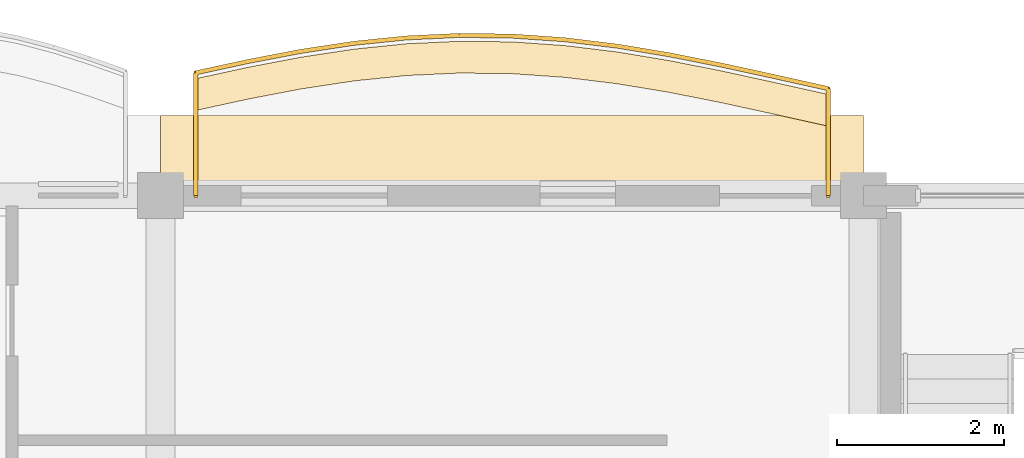
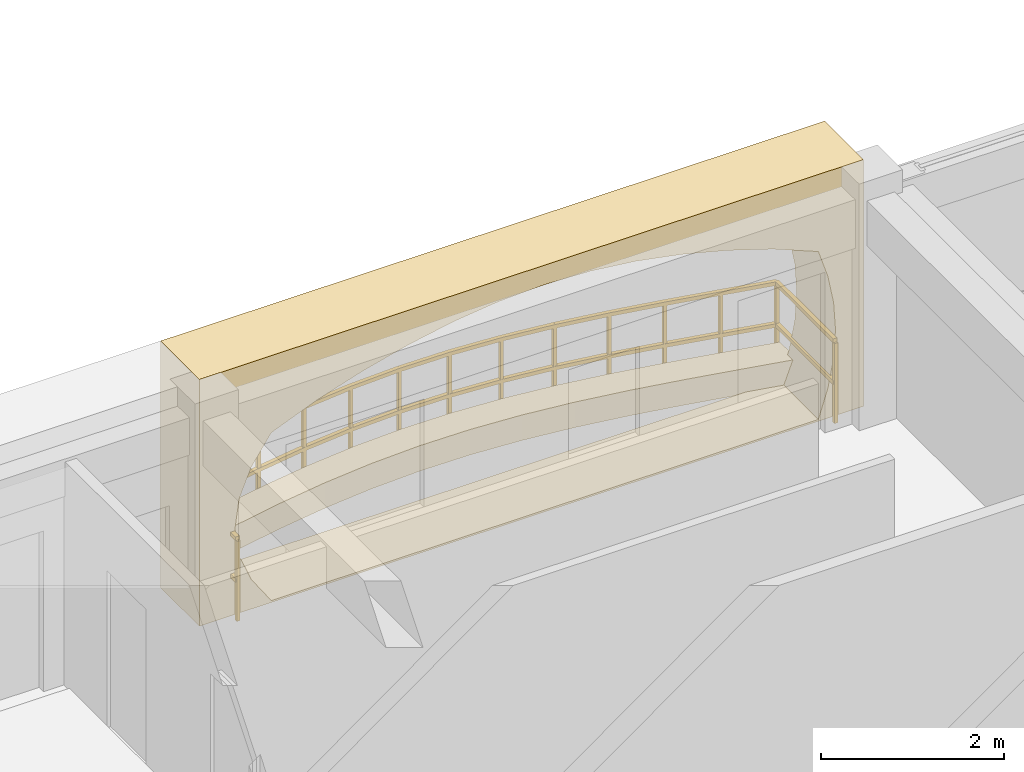
# One storey, part 31 of 31: 2 coverings, 1 railing.
"""IFC4 building model written with IfcOpenShell, lengths in metres."""

import ifcopenshell
import ifcopenshell.guid

model = None  # the IFC model being written
_history = None  # IfcOwnerHistory: only IFC2X3 demands one
_inside = {}  # id of a spatial element -> (the spatial element, [elements in it])
_under = {}  # id of a project, library or spatial element -> (it, [spatial elements below it])
_declared = {}  # id of a project -> (the project, [libraries it declares])
_typed = {}  # id of a type object -> (the type object, [elements of that type])
_made_of = {}  # id of a material, layer set ... -> (it, [elements and type objects made of it])


def new_model(schema):
    """Start an empty IFC model of exactly this schema.

    Asked for "IFC4X3", IfcOpenShell would pick the latest addendum, in which some entities
    have other attributes; the version numbers below select the first issue.
    IFC2X3 requires an IfcOwnerHistory on every rooted entity: one is made here for all.
    """
    global model, _history
    if schema == "IFC4X3":
        model = ifcopenshell.file(schema_version=(4, 3, 0, 0))
    else:
        model = ifcopenshell.file(schema=schema)
    _inside.clear()
    _under.clear()
    _declared.clear()
    _typed.clear()
    _made_of.clear()
    _history = None
    if model.schema == "IFC2X3":
        org = make("IfcOrganization", Name="unknown")
        user = make(
            "IfcPersonAndOrganization",
            ThePerson=make("IfcPerson", FamilyName="unknown"),
            TheOrganization=org,
        )
        app = make(
            "IfcApplication",
            ApplicationDeveloper=org,
            Version="unknown",
            ApplicationFullName="unknown",
            ApplicationIdentifier="unknown",
        )
        _history = make(
            "IfcOwnerHistory",
            OwningUser=user,
            OwningApplication=app,
            ChangeAction="ADDED",
            CreationDate=0,
        )
    return model


def make(cls, **values):
    """One entity of the class cls with the attributes given. An attribute that is None is left unset."""
    return model.create_entity(
        cls, **{name: value for name, value in values.items() if value is not None}
    )


def rooted(cls, **values):
    """An entity with a GlobalId (a new one), such as an element, a storey or a relation."""
    return make(cls, GlobalId=ifcopenshell.guid.new(), OwnerHistory=_history, **values)


def si_unit(unit_type, name, prefix=None):
    """IfcSIUnit, for example si_unit("LENGTHUNIT", "METRE", prefix="MILLI")."""
    return make("IfcSIUnit", UnitType=unit_type, Prefix=prefix, Name=name)


def assignment(units):
    """IfcUnitAssignment: the units of a project."""
    return None if units is None else make("IfcUnitAssignment", Units=units)


def point(xyz):
    """IfcCartesianPoint."""
    return None if xyz is None else make("IfcCartesianPoint", Coordinates=xyz)


def direction(xyz):
    """IfcDirection."""
    return None if xyz is None else make("IfcDirection", DirectionRatios=xyz)


def frame(location, z_axis=None, x_axis=None):
    """IfcAxis2Placement3D, a coordinate frame: its origin and axes. An axis left out is left unset."""
    return make(
        "IfcAxis2Placement3D",
        Location=point(location),
        Axis=direction(z_axis),
        RefDirection=direction(x_axis),
    )


def frame_2d(location, x_axis=None):
    """IfcAxis2Placement2D, a coordinate frame in the plane: its origin and x axis."""
    return make(
        "IfcAxis2Placement2D", Location=point(location), RefDirection=direction(x_axis)
    )


def origin():
    """The frame at (0, 0, 0) with its axes left unset."""
    return frame((0.0, 0.0, 0.0))


def origin_2d():
    """The frame at (0, 0) in the plane with its x axis left unset."""
    return frame_2d((0.0, 0.0))


def place(relative_to, where):
    """IfcLocalPlacement: puts the frame where relative to a parent placement (None: the world)."""
    return make(
        "IfcLocalPlacement", PlacementRelTo=relative_to, RelativePlacement=where
    )


def context(
    kind, dimensions, precision=None, world=None, true_north=None, identifier=None
):
    """IfcGeometricRepresentationContext, for example the 3D "Model" context."""
    return make(
        "IfcGeometricRepresentationContext",
        ContextIdentifier=identifier,
        ContextType=kind,
        CoordinateSpaceDimension=dimensions,
        Precision=precision,
        WorldCoordinateSystem=world,
        TrueNorth=true_north,
    )


def subcontext(parent, identifier, kind, view, scale=None):
    """IfcGeometricRepresentationSubContext, for example "Body" below "Model"."""
    return make(
        "IfcGeometricRepresentationSubContext",
        ContextIdentifier=identifier,
        ContextType=kind,
        ParentContext=parent,
        TargetScale=scale,
        TargetView=view,
    )


def project(units=None, contexts=None):
    """IfcProject with its units and contexts."""
    return rooted(
        "IfcProject",
        Name="project",
        RepresentationContexts=contexts,
        UnitsInContext=assignment(units),
    )


def spatial(cls, under=None, at=None, **own):
    """A site, building, storey or space (cls), placed at a placement, below another one or the project."""
    s = rooted(cls, ObjectPlacement=at, **own)
    if under is not None:
        _under.setdefault(under.id(), (under, []))[1].append(s)
    return s


def polyline(points):
    """IfcPolyline through the points."""
    return make("IfcPolyline", Points=[point(p) for p in points])


def profile(cls, at=None, kind="AREA", **sizes):
    """A parametric profile (cls). Its sizes go by their IFC names, for example OverallWidth=200.0."""
    return make(cls, ProfileType=kind, Position=at, **sizes)


def rectangle(**sizes):
    """IfcRectangleProfileDef."""
    return profile("IfcRectangleProfileDef", **sizes)


def outline(outer, holes=None, kind="AREA"):
    """IfcArbitraryClosedProfileDef: a profile drawn as a closed curve; with holes, ...WithVoids."""
    if holes is None:
        return make("IfcArbitraryClosedProfileDef", ProfileType=kind, OuterCurve=outer)
    return make(
        "IfcArbitraryProfileDefWithVoids",
        ProfileType=kind,
        OuterCurve=outer,
        InnerCurves=holes,
    )


def extrude(swept, where, along, depth):
    """IfcExtrudedAreaSolid: the profile swept, set in the frame where, extruded along a direction by depth."""
    return make(
        "IfcExtrudedAreaSolid",
        SweptArea=swept,
        Position=where,
        ExtrudedDirection=direction(along),
        Depth=depth,
    )


def shape(context_of_items, identifier, shape_type, items):
    """IfcShapeRepresentation: the items that make up one representation, for example the "Body"."""
    return make(
        "IfcShapeRepresentation",
        ContextOfItems=context_of_items,
        RepresentationIdentifier=identifier,
        RepresentationType=shape_type,
        Items=items,
    )


def material(Name=None, Category=None):
    """IfcMaterial."""
    return make("IfcMaterial", Name=Name, Category=Category)


def layer(
    of_material, thickness, ventilated=None, Name=None, Category=None, Priority=None
):
    """IfcMaterialLayer: one layer of a wall or slab, of a material (None: an air gap)."""
    return make(
        "IfcMaterialLayer",
        Material=of_material,
        LayerThickness=thickness,
        IsVentilated=ventilated,
        Name=Name,
        Category=Category,
        Priority=Priority,
    )


def layer_set(layers, Name=None):
    """IfcMaterialLayerSet."""
    return make("IfcMaterialLayerSet", MaterialLayers=layers, LayerSetName=Name)


def made_of(thing, what):
    """Note that an element or type object is made of a material, layer set ...; save() writes the relation."""
    if what is not None:
        _made_of.setdefault(what.id(), (what, []))[1].append(thing)
    return thing


def type_object(cls, material=None, **own):
    """A type object (cls), such as IfcWallType, which elements share."""
    return made_of(rooted(cls, **own), material)


def element(
    cls,
    number,
    at=None,
    inside=None,
    cuts=None,
    type_object=None,
    material=None,
    context=None,
    identifier="Body",
    shape_type=None,
    held_by="IfcProductDefinitionShape",
    body=None,
    shapes=None,
    **own,
):
    """One element of the class cls, such as IfcWall. Its Tag is "e" and its number.

    at: its placement. inside: the storey or other place that contains it. cuts: it is an
    opening in that element (IfcRelVoidsElement). A single representation is given by context,
    identifier, shape_type and body (its items); several are given by shapes. held_by: the class
    of the entity that holds the representations. save() writes the other relations.
    """
    e = rooted(cls, Tag="e%d" % number, ObjectPlacement=at, **own)
    if body is not None:
        shapes = [shape(context, identifier, shape_type, body)]
    if shapes is not None:
        e.Representation = make(held_by, Representations=shapes)
    if inside is not None:
        _inside.setdefault(inside.id(), (inside, []))[1].append(e)
    if cuts is not None:
        rooted(
            "IfcRelVoidsElement", RelatingBuildingElement=cuts, RelatedOpeningElement=e
        )
    if type_object is not None:
        _typed.setdefault(type_object.id(), (type_object, []))[1].append(e)
    return made_of(e, material)


def aggregate(whole, parts):
    """IfcRelAggregates: a whole, such as a stair, and the parts it consists of."""
    return rooted("IfcRelAggregates", RelatingObject=whole, RelatedObjects=parts)


def save(model, path):
    """Write the relations noted so far, then the file.

    IfcRelAggregates (storeys below a building ...), IfcRelContainedInSpatialStructure (elements
    in a storey), IfcRelDefinesByType, IfcRelAssociatesMaterial and IfcRelDeclares: one each for
    every whole, place, type object, material and project.
    """
    for whole, parts in _under.values():
        aggregate(whole, parts)
    for where, things in _inside.values():
        rooted(
            "IfcRelContainedInSpatialStructure",
            RelatedElements=things,
            RelatingStructure=where,
        )
    for kind, things in _typed.values():
        rooted("IfcRelDefinesByType", RelatedObjects=things, RelatingType=kind)
    for what, things in _made_of.values():
        rooted("IfcRelAssociatesMaterial", RelatedObjects=things, RelatingMaterial=what)
    for by, libraries in _declared.values():
        rooted("IfcRelDeclares", RelatingContext=by, RelatedDefinitions=libraries)
    model.write(path)


model = new_model("IFC4")

# Units and contexts
model_context = context("Model", 3, precision=1e-05, world=origin(), true_north=direction((0.0, 1.0)))
body_context = subcontext(model_context, "Body", "Model", "MODEL_VIEW")
ifc_project = project(units=[si_unit("LENGTHUNIT", "METRE"), si_unit("AREAUNIT", "SQUARE_METRE"), si_unit("VOLUMEUNIT", "CUBIC_METRE"), si_unit("PLANEANGLEUNIT", "RADIAN"), si_unit("MASSUNIT", "GRAM", prefix="KILO"), si_unit("THERMODYNAMICTEMPERATUREUNIT", "KELVIN")], contexts=[model_context])

# Site, building, storey
site_placement = place(None, origin())
site = spatial("IfcSite", under=ifc_project, at=site_placement, CompositionType="ELEMENT")
building_placement = place(site_placement, origin())
building = spatial("IfcBuilding", under=site, at=building_placement, Name="Thalorik Housing Commons", CompositionType="ELEMENT")
storey_placement = place(building_placement, frame((0.0, 0.0, 37.800048828125)))
storey = spatial("IfcBuildingStorey", under=building, at=storey_placement, Name="L11", CompositionType="ELEMENT", Elevation=37.800048828125)

# Coverings
ifc_material_1 = material(Name="Precast concrete C40/50", Category="concrete")
ifc_layer_1 = layer(ifc_material_1, 0.85009765625, Name="Precast concrete C40/50", Category="concrete")
ifc_layer_set_1 = layer_set([ifc_layer_1], Name="Precast concrete C40/50")
covering_type_1 = type_object("IfcCoveringType", Name="ARC-CLD-CUSH-850", PredefinedType="CLADDING", material=ifc_layer_set_1)
covering_1_placement = place(storey_placement, frame((148.199951171875, 124.132568359375, 0.0), z_axis=(0.0, 0.0, 1.0), x_axis=(-1.0, 0.0, 0.0)))
element("IfcCovering", 1, at=covering_1_placement, inside=storey, type_object=covering_type_1, Name="L11 White Precast Curved Cushion Bay Frame 3170", PredefinedType="CLADDING", context=body_context, shape_type="SweptSolid", body=[
    extrude(outline(polyline([(-4.199951171875, 0.0), (4.199951171875, 0.0), (4.199951171875, 3.300048828125), (-4.199951171875, 3.300048828125), (-4.199951171875, 0.0)]), holes=[polyline([(3.2900390625, 0.02490234375), (3.545654296875, 0.399169921875), (3.698974609375, 0.773193359375), (3.75, 1.1474609375), (3.698974609375, 1.521728515625), (3.545654296875, 1.895751953125), (3.2900390625, 2.27001953125), (2.71337890625, 2.50439453125), (2.13671875, 2.6884765625), (1.56005859375, 2.837646484375), (0.9833984375, 2.948486328125), (0.40673828125, 3.016845703125), (-0.169921875, 3.0400390625), (-0.74658203125, 3.016845703125), (-1.3232421875, 2.948486328125), (-1.89990234375, 2.837646484375), (-2.476806640625, 2.6884765625), (-3.05322265625, 2.50439453125), (-3.6298828125, 2.27001953125), (-3.750244140625, 1.895751953125), (-3.822509765625, 1.521728515625), (-3.8466796875, 1.1474609375), (-3.822509765625, 0.773193359375), (-3.750244140625, 0.399169921875), (-3.6298828125, 0.02490234375), (3.2900390625, 0.02490234375)])]), frame((0.0, 0.425048828125, 0.0), z_axis=(0.0, -1.0, 0.0), x_axis=(1.0, 0.0, 0.0)), (0.0, 0.0, 1.0), 0.85009765625),
])
ifc_material_2 = material(Name="Planted vegetated substrate and terracotta trough", Category="masonry")
ifc_layer_2 = layer(ifc_material_2, 0.340087890625, Name="Planted vegetated substrate and terracotta trough", Category="masonry")
ifc_layer_set_2 = layer_set([ifc_layer_2], Name="Planted vegetated substrate and terracotta trough")
covering_type_2 = type_object("IfcCoveringType", Name="ARC-COV-PLANTER", PredefinedType="USERDEFINED", material=ifc_layer_set_2)
covering_2_placement = place(storey_placement, origin())
element("IfcCovering", 2, at=covering_2_placement, inside=storey, type_object=covering_type_2, Name="L11 Balcony Slab-Edge Planted Trough 5554", ObjectType="PLANTER", PredefinedType="USERDEFINED", context=body_context, shape_type="SweptSolid", body=[
    extrude(outline(polyline([(151.97998046875, 124.810546875), (151.35009765625, 124.95068359375), (150.719970703125, 125.087890625), (150.090087890625, 125.213134765625), (149.4599609375, 125.31787109375), (148.830078125, 125.394775390625), (148.199951171875, 125.438720703125), (147.570068359375, 125.446044921875), (146.93994140625, 125.41650390625), (146.31005859375, 125.351806640625), (145.679931640625, 125.256103515625), (145.050048828125, 125.135986328125), (144.419921875, 124.998779296875), (144.419921875, 124.618896484375), (145.050048828125, 124.755859375), (145.679931640625, 124.876220703125), (146.31005859375, 124.971923828125), (146.93994140625, 125.03662109375), (147.570068359375, 125.066162109375), (148.199951171875, 125.05859375), (148.830078125, 125.014892578125), (149.4599609375, 124.93798828125), (150.090087890625, 124.833251953125), (150.719970703125, 124.7080078125), (151.35009765625, 124.57080078125), (151.97998046875, 124.4306640625), (151.97998046875, 124.810546875)])), origin(), (0.0, 0.0, 1.0), 0.33984375),
])

# Railing
ifc_material_3 = material(Name="Steel S355", Category="steel")
railing_type = type_object("IfcRailingType", Name="ARC-RL-BAL-112", PredefinedType="BALUSTRADE", material=ifc_material_3)
railing_placement = place(storey_placement, frame((151.97998046875, 123.60009765625, 0.0)))
element("IfcRailing", 3, at=railing_placement, inside=storey, type_object=railing_type, Name="L11 Cushion Balcony Guardrail 238", PredefinedType="BALUSTRADE", context=body_context, shape_type="SweptSolid", body=[
    extrude(rectangle(XDim=0.050048828125, YDim=0.050048828125, at=origin_2d()), frame((0.0, 0.0, 1.09521484375), z_axis=(0.0, 1.0, 0.0), x_axis=(-1.0, 0.0, 0.0)), (0.0, 0.0, 1.0), 1.280517578125),
    extrude(rectangle(XDim=0.050048828125, YDim=0.050048828125, at=origin_2d()), frame((0.0, 0.0, 0.53515625), z_axis=(0.0, 1.0, 0.0), x_axis=(-1.0, 0.0, 0.0)), (0.0, 0.0, 1.0), 1.280517578125),
    extrude(rectangle(XDim=0.050048828125, YDim=0.050048828125, at=origin_2d()), frame((0.0, 1.280517578125, 1.09521484375), z_axis=(-0.976133616988, 0.217170812462, 0.0), x_axis=(-0.217170812462, -0.976133616988, 0.0)), (0.0, 0.0, 1.0), 0.645263671875),
    extrude(rectangle(XDim=0.050048828125, YDim=0.050048828125, at=origin_2d()), frame((0.0, 1.280517578125, 0.53515625), z_axis=(-0.976133616988, 0.217170812462, 0.0), x_axis=(-0.217170812462, -0.976133616988, 0.0)), (0.0, 0.0, 1.0), 0.645263671875),
    extrude(rectangle(XDim=0.050048828125, YDim=0.050048828125, at=origin_2d()), frame((-0.6298828125, 1.420654296875, 1.09521484375), z_axis=(-0.97710455642, 0.212759690317, 0.0), x_axis=(-0.212759690317, -0.97710455642, 0.0)), (0.0, 0.0, 1.0), 0.644775390625),
    extrude(rectangle(XDim=0.050048828125, YDim=0.050048828125, at=origin_2d()), frame((-0.6298828125, 1.420654296875, 0.53515625), z_axis=(-0.97710455642, 0.212759690317, 0.0), x_axis=(-0.212759690317, -0.97710455642, 0.0)), (0.0, 0.0, 1.0), 0.644775390625),
    extrude(rectangle(XDim=0.050048828125, YDim=0.050048828125, at=origin_2d()), frame((-1.260009765625, 1.557861328125, 1.09521484375), z_axis=(-0.980799382594, 0.19501941212, 0.0), x_axis=(-0.19501941212, -0.980799382594, 0.0)), (0.0, 0.0, 1.0), 0.642333984375),
    extrude(rectangle(XDim=0.050048828125, YDim=0.050048828125, at=origin_2d()), frame((-1.260009765625, 1.557861328125, 0.53515625), z_axis=(-0.980799382594, 0.19501941212, 0.0), x_axis=(-0.19501941212, -0.980799382594, 0.0)), (0.0, 0.0, 1.0), 0.642333984375),
    extrude(rectangle(XDim=0.050048828125, YDim=0.050048828125, at=origin_2d()), frame((-1.889892578125, 1.68310546875, 1.09521484375), z_axis=(-0.98646613711, 0.163965119264, 0.0), x_axis=(-0.163965119264, -0.98646613711, 0.0)), (0.0, 0.0, 1.0), 0.638671875),
    extrude(rectangle(XDim=0.050048828125, YDim=0.050048828125, at=origin_2d()), frame((-1.889892578125, 1.68310546875, 0.53515625), z_axis=(-0.98646613711, 0.163965119264, 0.0), x_axis=(-0.163965119264, -0.98646613711, 0.0)), (0.0, 0.0, 1.0), 0.638671875),
    extrude(rectangle(XDim=0.050048828125, YDim=0.050048828125, at=origin_2d()), frame((-2.52001953125, 1.787841796875, 1.09521484375), z_axis=(-0.992628953739, 0.121193069933, 0.0), x_axis=(-0.121193069933, -0.992628953739, 0.0)), (0.0, 0.0, 1.0), 0.634521484375),
    extrude(rectangle(XDim=0.050048828125, YDim=0.050048828125, at=origin_2d()), frame((-2.52001953125, 1.787841796875, 0.53515625), z_axis=(-0.992628953739, 0.121193069933, 0.0), x_axis=(-0.121193069933, -0.992628953739, 0.0)), (0.0, 0.0, 1.0), 0.634521484375),
    extrude(rectangle(XDim=0.050048828125, YDim=0.050048828125, at=origin_2d()), frame((-3.14990234375, 1.86474609375, 1.09521484375), z_axis=(-0.997603724005, 0.069186775125, 0.0), x_axis=(-0.069186775125, -0.997603724005, 0.0)), (0.0, 0.0, 1.0), 0.631591796875),
    extrude(rectangle(XDim=0.050048828125, YDim=0.050048828125, at=origin_2d()), frame((-3.14990234375, 1.86474609375, 0.53515625), z_axis=(-0.997603724005, 0.069186775125, 0.0), x_axis=(-0.069186775125, -0.997603724005, 0.0)), (0.0, 0.0, 1.0), 0.631591796875),
    extrude(rectangle(XDim=0.050048828125, YDim=0.050048828125, at=origin_2d()), frame((-3.780029296875, 1.908447265625, 1.09521484375), z_axis=(-0.999927821649, 0.012014636617, 0.0), x_axis=(-0.012014636617, -0.999927821649, 0.0)), (0.0, 0.0, 1.0), 0.6298828125),
    extrude(rectangle(XDim=0.050048828125, YDim=0.050048828125, at=origin_2d()), frame((-3.780029296875, 1.908447265625, 0.53515625), z_axis=(-0.999927821649, 0.012014636617, 0.0), x_axis=(-0.012014636617, -0.999927821649, 0.0)), (0.0, 0.0, 1.0), 0.6298828125),
    extrude(rectangle(XDim=0.050048828125, YDim=0.050048828125, at=origin_2d()), frame((-4.409912109375, 1.916015625, 1.09521484375), z_axis=(-0.99890289151, -0.046829620253, 0.0), x_axis=(0.046829620253, -0.99890289151, 0.0)), (0.0, 0.0, 1.0), 0.630859375),
    extrude(rectangle(XDim=0.050048828125, YDim=0.050048828125, at=origin_2d()), frame((-4.409912109375, 1.916015625, 0.53515625), z_axis=(-0.99890289151, -0.046829620253, 0.0), x_axis=(0.046829620253, -0.99890289151, 0.0)), (0.0, 0.0, 1.0), 0.630859375),
    extrude(rectangle(XDim=0.050048828125, YDim=0.050048828125, at=origin_2d()), frame((-5.0400390625, 1.886474609375, 1.09521484375), z_axis=(-0.994766376321, -0.102175616173, 0.0), x_axis=(0.102175616173, -0.994766376321, 0.0)), (0.0, 0.0, 1.0), 0.63330078125),
    extrude(rectangle(XDim=0.050048828125, YDim=0.050048828125, at=origin_2d()), frame((-5.0400390625, 1.886474609375, 0.53515625), z_axis=(-0.994766376321, -0.102175616173, 0.0), x_axis=(0.102175616173, -0.994766376321, 0.0)), (0.0, 0.0, 1.0), 0.63330078125),
    extrude(rectangle(XDim=0.050048828125, YDim=0.050048828125, at=origin_2d()), frame((-5.669921875, 1.82177734375, 1.09521484375), z_axis=(-0.988662144203, -0.150157133099, 0.0), x_axis=(0.150157133099, -0.988662144203, 0.0)), (0.0, 0.0, 1.0), 0.637451171875),
    extrude(rectangle(XDim=0.050048828125, YDim=0.050048828125, at=origin_2d()), frame((-5.669921875, 1.82177734375, 0.53515625), z_axis=(-0.988662144203, -0.150157133099, 0.0), x_axis=(0.150157133099, -0.988662144203, 0.0)), (0.0, 0.0, 1.0), 0.637451171875),
    extrude(rectangle(XDim=0.050048828125, YDim=0.050048828125, at=origin_2d()), frame((-6.300048828125, 1.72607421875, 1.09521484375), z_axis=(-0.982228432783, -0.187689386574, 0.0), x_axis=(0.187689386574, -0.982228432783, 0.0)), (0.0, 0.0, 1.0), 0.641357421875),
    extrude(rectangle(XDim=0.050048828125, YDim=0.050048828125, at=origin_2d()), frame((-6.300048828125, 1.72607421875, 0.53515625), z_axis=(-0.982228432783, -0.187689386574, 0.0), x_axis=(0.187689386574, -0.982228432783, 0.0)), (0.0, 0.0, 1.0), 0.641357421875),
    extrude(rectangle(XDim=0.050048828125, YDim=0.050048828125, at=origin_2d()), frame((-6.929931640625, 1.605712890625, 1.09521484375), z_axis=(-0.977183197468, -0.212398207586, 0.0), x_axis=(0.212398207586, -0.977183197468, 0.0)), (0.0, 0.0, 1.0), 0.644775390625),
    extrude(rectangle(XDim=0.050048828125, YDim=0.050048828125, at=origin_2d()), frame((-6.929931640625, 1.605712890625, 0.53515625), z_axis=(-0.977183197468, -0.212398207586, 0.0), x_axis=(0.212398207586, -0.977183197468, 0.0)), (0.0, 0.0, 1.0), 0.644775390625),
    extrude(rectangle(XDim=0.050048828125, YDim=0.050048828125, at=origin_2d()), frame((-7.56005859375, 1.46875, 1.09521484375), z_axis=(0.0, -1.0, 0.0), x_axis=(1.0, 0.0, 0.0)), (0.0, 0.0, 1.0), 1.46875),
    extrude(rectangle(XDim=0.050048828125, YDim=0.050048828125, at=origin_2d()), frame((-7.56005859375, 1.46875, 0.53515625), z_axis=(0.0, -1.0, 0.0), x_axis=(1.0, 0.0, 0.0)), (0.0, 0.0, 1.0), 1.46875),
    extrude(rectangle(XDim=0.0419921875, YDim=0.0419921875, at=origin_2d()), origin(), (0.0, 0.0, 1.0), 1.070068359375),
    extrude(rectangle(XDim=0.0419921875, YDim=0.0419921875, at=origin_2d()), frame((0.0, 1.280517578125, 0.0)), (0.0, 0.0, 1.0), 1.070068359375),
    extrude(rectangle(XDim=0.0419921875, YDim=0.0419921875, at=origin_2d()), frame((-0.6298828125, 1.420654296875, 0.0)), (0.0, 0.0, 1.0), 1.070068359375),
    extrude(rectangle(XDim=0.0419921875, YDim=0.0419921875, at=origin_2d()), frame((-1.260009765625, 1.557861328125, 0.0)), (0.0, 0.0, 1.0), 1.070068359375),
    extrude(rectangle(XDim=0.0419921875, YDim=0.0419921875, at=origin_2d()), frame((-1.889892578125, 1.68310546875, 0.0)), (0.0, 0.0, 1.0), 1.070068359375),
    extrude(rectangle(XDim=0.0419921875, YDim=0.0419921875, at=origin_2d()), frame((-2.52001953125, 1.787841796875, 0.0)), (0.0, 0.0, 1.0), 1.070068359375),
    extrude(rectangle(XDim=0.0419921875, YDim=0.0419921875, at=origin_2d()), frame((-3.14990234375, 1.86474609375, 0.0)), (0.0, 0.0, 1.0), 1.070068359375),
    extrude(rectangle(XDim=0.0419921875, YDim=0.0419921875, at=origin_2d()), frame((-3.780029296875, 1.908447265625, 0.0)), (0.0, 0.0, 1.0), 1.070068359375),
    extrude(rectangle(XDim=0.0419921875, YDim=0.0419921875, at=origin_2d()), frame((-4.409912109375, 1.916015625, 0.0)), (0.0, 0.0, 1.0), 1.070068359375),
    extrude(rectangle(XDim=0.0419921875, YDim=0.0419921875, at=origin_2d()), frame((-5.0400390625, 1.886474609375, 0.0)), (0.0, 0.0, 1.0), 1.070068359375),
    extrude(rectangle(XDim=0.0419921875, YDim=0.0419921875, at=origin_2d()), frame((-5.669921875, 1.82177734375, 0.0)), (0.0, 0.0, 1.0), 1.070068359375),
    extrude(rectangle(XDim=0.0419921875, YDim=0.0419921875, at=origin_2d()), frame((-6.300048828125, 1.72607421875, 0.0)), (0.0, 0.0, 1.0), 1.070068359375),
    extrude(rectangle(XDim=0.0419921875, YDim=0.0419921875, at=origin_2d()), frame((-6.929931640625, 1.605712890625, 0.0)), (0.0, 0.0, 1.0), 1.070068359375),
    extrude(rectangle(XDim=0.0419921875, YDim=0.0419921875, at=origin_2d()), frame((-7.56005859375, 1.46875, 0.0)), (0.0, 0.0, 1.0), 1.070068359375),
    extrude(rectangle(XDim=0.0419921875, YDim=0.0419921875, at=origin_2d()), frame((-7.56005859375, 0.0, 0.0)), (0.0, 0.0, 1.0), 1.070068359375),
])

save(model, "model.ifc")
